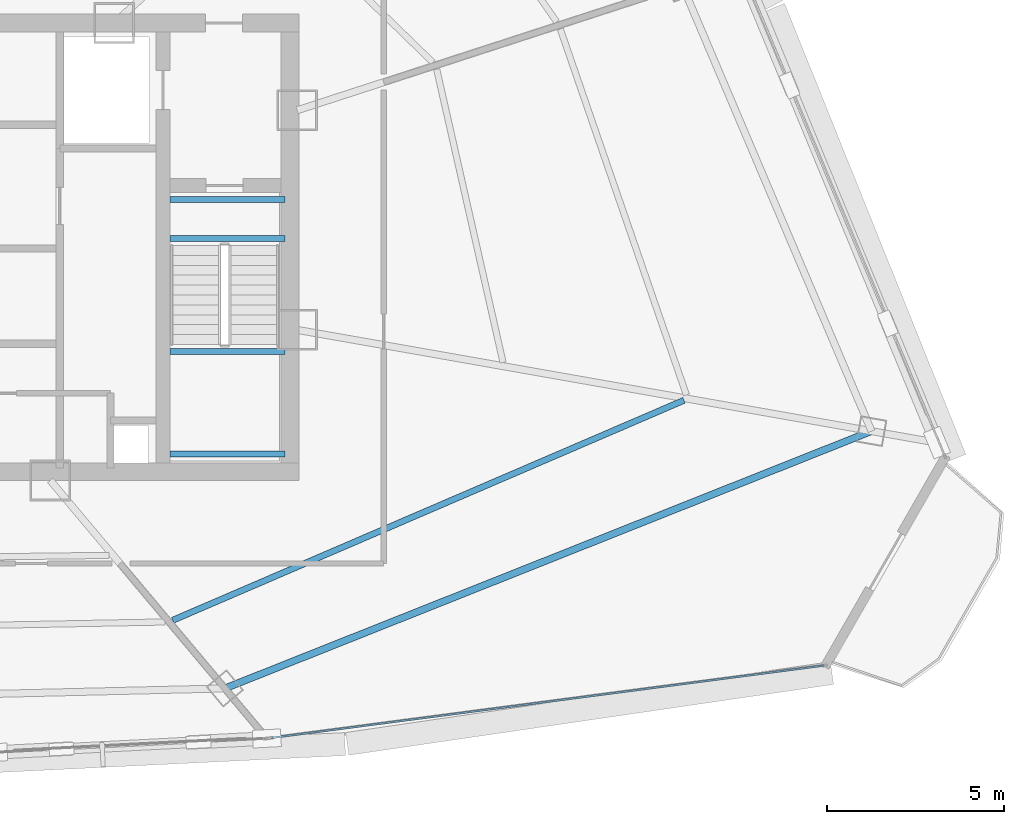
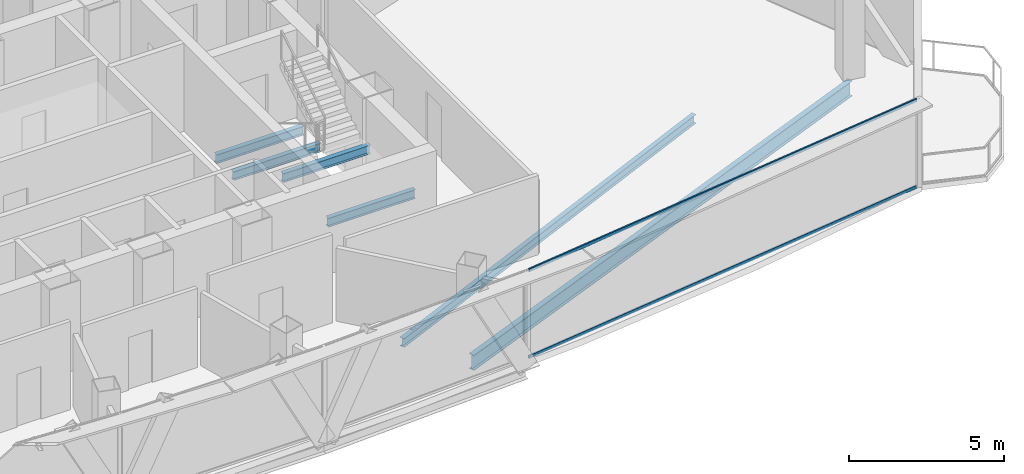
# One storey, part 12 of 35: 6 beams, 2 members, 1 element without a shape of its own.
"""IFC4 building model written with IfcOpenShell, lengths in metres."""

from ifc_helpers import new_model, si_unit, direction, frame, origin, origin_2d, place, context, subcontext, project, spatial, hollow_rectangle, i_section, extrude, source, transform, mapped, material, layer, layer_set, material_profile, profile_set, type_object, element, aggregate, save


model = new_model("IFC4")

# Units and contexts
model_context = context("Model", 3, precision=1e-05, world=origin(), true_north=direction((0.0, 1.0)))
body_context = subcontext(model_context, "Body", "Model", "MODEL_VIEW")
ifc_project = project(units=[si_unit("LENGTHUNIT", "METRE"), si_unit("AREAUNIT", "SQUARE_METRE"), si_unit("VOLUMEUNIT", "CUBIC_METRE"), si_unit("PLANEANGLEUNIT", "RADIAN"), si_unit("MASSUNIT", "GRAM", prefix="KILO"), si_unit("THERMODYNAMICTEMPERATUREUNIT", "KELVIN"), si_unit("POWERUNIT", "WATT")], contexts=[model_context])

# Site, building, storey
site_placement = place(None, origin())
site = spatial("IfcSite", under=ifc_project, at=site_placement, CompositionType="ELEMENT")
building_placement = place(site_placement, origin())
building = spatial("IfcBuilding", under=site, at=building_placement, Name="Yunzhuo Pagoda Commons", CompositionType="ELEMENT")
storey_placement = place(building_placement, frame((0.0, 0.0, 303.669921875)))
storey = spatial("IfcBuildingStorey", under=building, at=storey_placement, Name="L76", CompositionType="ELEMENT", Elevation=303.669921875)

# Beams
ifc_material_1 = material(Name="Structural steel Q355B", Category="steel")
ifc_material_profile_1 = material_profile(ifc_material_1, i_section(OverallWidth=0.175048828125, OverallDepth=0.35009765625, WebThickness=0.007080078125, FlangeThickness=0.010986328125, at=origin_2d()), Name="Structural steel Q355B")
ifc_profile_set_1 = profile_set([ifc_material_profile_1], Name="Structural steel Q355B")
beam_type_1 = type_object("IfcBeamType", Name="B-JS2 Joist HN 350x175x7x11", PredefinedType="JOIST", material=ifc_profile_set_1)
shared_shape_1 = source(origin(), body_context, "Body", "SweptSolid", [
    extrude(i_section(OverallWidth=0.175048828125, OverallDepth=0.35009765625, WebThickness=0.007080078125, FlangeThickness=0.010986328125, at=origin_2d()), origin(), (0.0, 0.0, 1.0), 3.25),
])
for number, where, z_axis, x_axis, name in (
    (1, (56.800048828125, 28.0, 1.489990234375), (1.0, 0.0, 0.0), (0.0, 1.0, 0.0), "L76 ST2 landing support beam 82A"),
    (2, (56.800048828125, 30.89990234375, 1.489990234375), (1.0, 0.0, 0.0), (0.0, 1.0, 0.0), "L76 ST2 landing support beam 82B"),
    (3, (56.800048828125, 34.10009765625, -0.375), (1.0, 0.0, 0.0), (0.0, 1.0, 0.0), "L76 ST2 landing support beam 180A"),
    (4, (56.800048828125, 35.199951171875, -0.375), (1.0, 0.0, 0.0), (0.0, 1.0, 0.0), "L76 ST2 landing support beam 180B"),
):
    element("IfcBeam", number, at=place(storey_placement, frame(where, z_axis=z_axis, x_axis=x_axis)), inside=storey, type_object=beam_type_1, Name=name, PredefinedType="JOIST", context=body_context, shape_type="MappedRepresentation", body=[
        mapped(shared_shape_1, transform((0.0, 0.0, 0.0), scale=1.0)),
    ])
ifc_material_profile_2 = material_profile(ifc_material_1, i_section(OverallWidth=0.199951171875, OverallDepth=0.60009765625, WebThickness=0.010986328125, FlangeThickness=0.01708984375, at=origin_2d()), Name="Structural steel Q355B")
ifc_profile_set_2 = profile_set([ifc_material_profile_2], Name="Structural steel Q355B")
beam_type_2 = type_object("IfcBeamType", Name="B-RG3 Beam HN 600x200x11x17", PredefinedType="BEAM", material=ifc_profile_set_2)
shared_shape_2 = source(origin(), body_context, "Body", "SweptSolid", [
    extrude(i_section(OverallWidth=0.199951171875, OverallDepth=0.60009765625, WebThickness=0.010986328125, FlangeThickness=0.01708984375, at=origin_2d()), origin(), (0.0, 0.0, 1.0), 19.7041015625),
])
beam_1_placement = place(storey_placement, frame((58.353515625, 21.361572265625, -0.559814453125), z_axis=(0.929150216007, 0.369702415592, 0.0), x_axis=(-0.369702415592, 0.929150216007, 0.0)))
element("IfcBeam", 5, at=beam_1_placement, inside=storey, type_object=beam_type_2, Name="L76 column-ring beam 4", PredefinedType="BEAM", context=body_context, shape_type="MappedRepresentation", body=[
    mapped(shared_shape_2, transform((0.0, 0.0, 0.0), scale=1.0)),
])
shared_shape_3 = source(origin(), body_context, "Body", "SweptSolid", [
    extrude(i_section(OverallWidth=0.175048828125, OverallDepth=0.35009765625, WebThickness=0.007080078125, FlangeThickness=0.010986328125, at=origin_2d()), origin(), (0.0, 0.0, 1.0), 15.757080078125),
])
beam_2_placement = place(storey_placement, frame((56.8779296875, 23.291259765625, -0.434814453125), z_axis=(0.918592756952, 0.395205448945, 0.0), x_axis=(-0.395205448945, 0.918592756952, 0.0)))
element("IfcBeam", 6, at=beam_2_placement, inside=storey, type_object=beam_type_1, Name="L76 composite ring joist 2.4", PredefinedType="JOIST", context=body_context, shape_type="MappedRepresentation", body=[
    mapped(shared_shape_3, transform((0.0, 0.0, 0.0), scale=1.0)),
])

# Curtain wall, members
ifc_material_2 = material(Name="Anodized aluminium 6063-T6", Category="aluminium")
ifc_layer = layer(ifc_material_2, 0.139892578125)
ifc_layer_set = layer_set([ifc_layer], Name="Anodized aluminium 6063-T6")
curtain_wall_type = type_object("IfcCurtainWallType", Name="CW-HI High-Zone Ribbon Curtain Wall", PredefinedType="NOTDEFINED", material=ifc_layer_set)
curtain_wall_placement = place(storey_placement, origin())
curtain_wall = element("IfcCurtainWall", 7, at=curtain_wall_placement, inside=storey, type_object=curtain_wall_type, Name="L76 curtain wall CW-L76-F1B5", PredefinedType="NOTDEFINED")
ifc_material_profile_3 = material_profile(ifc_material_2, hollow_rectangle(XDim=0.054931640625, YDim=0.1201171875, WallThickness=0.00341796875, at=origin_2d()), Name="Anodized aluminium 6063-T6")
ifc_profile_set_3 = profile_set([ifc_material_profile_3], Name="Anodized aluminium 6063-T6")
member_type = type_object("IfcMemberType", Name="CW-HI-T Transom RHS 120x55x3.5", PredefinedType="USERDEFINED", material=ifc_profile_set_3)
shared_shape_4 = source(origin(), body_context, "Body", "SweptSolid", [
    extrude(hollow_rectangle(XDim=0.054931640625, YDim=0.1201171875, WallThickness=0.00341796875, at=origin_2d()), origin(), (0.0, 0.0, 1.0), 15.765625),
])
member_1_placement = place(storey_placement, frame((59.67529296875, 19.962890625, 0.027587890625), z_axis=(0.99153396289, 0.129847604661, 0.0), x_axis=(-0.129847604661, 0.99153396289, 0.0)))
member_1 = element("IfcMember", 8, at=member_1_placement, type_object=member_type, Name="CW transom 1.1", ObjectType="TRANSOM", PredefinedType="USERDEFINED", context=body_context, shape_type="MappedRepresentation", body=[
    mapped(shared_shape_4, transform((0.0, 0.0, 0.0), scale=1.0)),
])
member_2_placement = place(storey_placement, frame((59.67529296875, 19.962890625, 3.442626953125), z_axis=(0.99153396289, 0.129847604661, 0.0), x_axis=(-0.129847604661, 0.99153396289, 0.0)))
member_2 = element("IfcMember", 9, at=member_2_placement, type_object=member_type, Name="CW transom 1.2", ObjectType="TRANSOM", PredefinedType="USERDEFINED", context=body_context, shape_type="MappedRepresentation", body=[
    mapped(shared_shape_4, transform((0.0, 0.0, 0.0), scale=1.0)),
])
aggregate(curtain_wall, [member_1, member_2])

save(model, "model.ifc")
